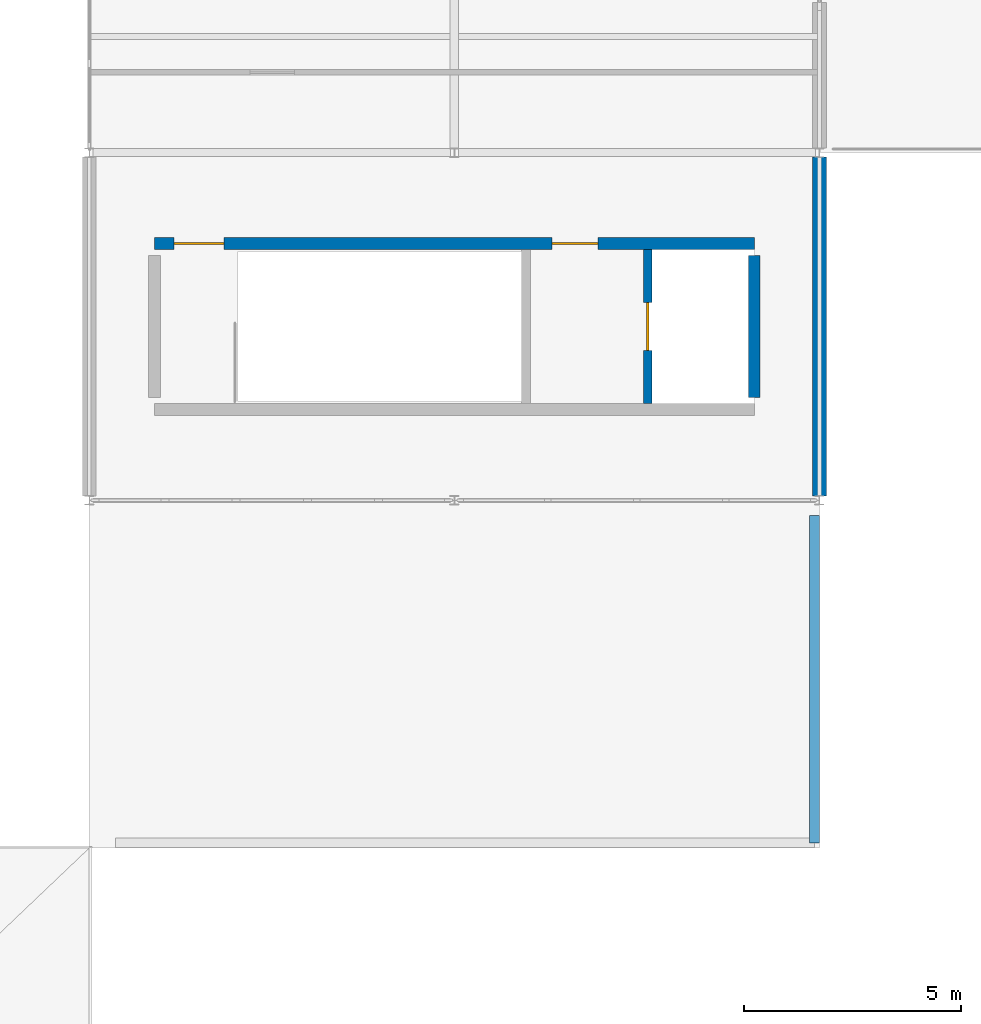
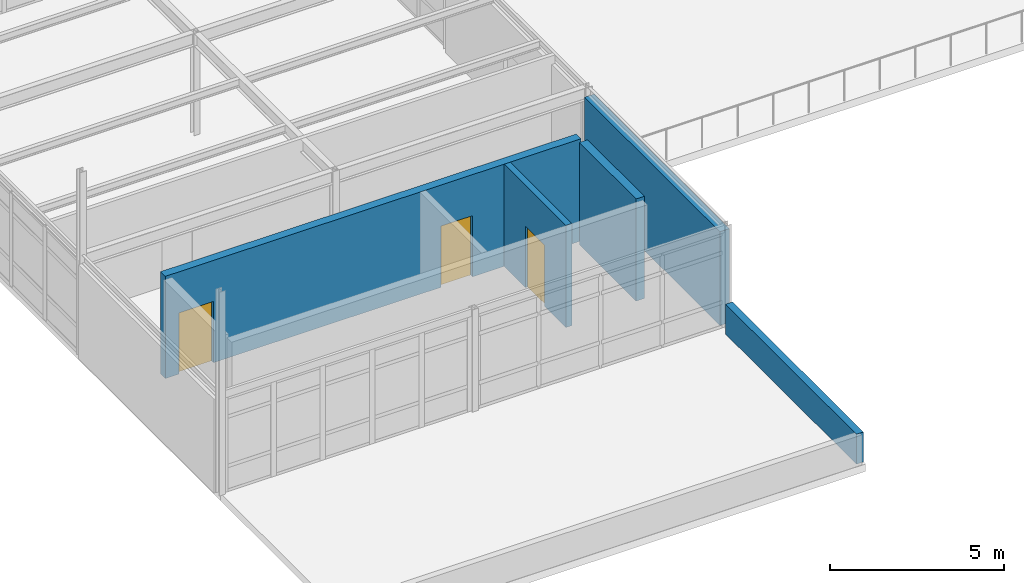
# One storey, part 25 of 32: 5 walls, 3 doors, 3 openings.
"""IFC4 building model written with IfcOpenShell, lengths in metres."""

from ifc_helpers import new_model, si_unit, direction, frame, frame_2d, origin, place, context, subcontext, project, spatial, rectangle, extrude, material, layer, layer_set, type_object, element, fill, save


model = new_model("IFC4")

# Units and contexts
model_context = context("Model", 3, precision=1e-05, world=origin(), true_north=direction((0.0, 1.0)))
body_context = subcontext(model_context, "Body", "Model", "MODEL_VIEW")
ifc_project = project(units=[si_unit("LENGTHUNIT", "METRE"), si_unit("AREAUNIT", "SQUARE_METRE"), si_unit("VOLUMEUNIT", "CUBIC_METRE"), si_unit("PLANEANGLEUNIT", "RADIAN"), si_unit("MASSUNIT", "GRAM", prefix="KILO")], contexts=[model_context])

# Site, building, storey
site_placement = place(None, origin())
site = spatial("IfcSite", under=ifc_project, at=site_placement, CompositionType="ELEMENT")
building_placement = place(site_placement, origin())
building = spatial("IfcBuilding", under=site, at=building_placement, Name="Kranzveld Transit Interchange", CompositionType="ELEMENT")
storey_placement = place(building_placement, frame((0.0, 0.0, 17.199951171875)))
storey = spatial("IfcBuildingStorey", under=building, at=storey_placement, Name="L04", CompositionType="ELEMENT", Elevation=17.199951171875)

# Wall, openings, doors
ifc_material_1 = material(Name="Concrete C40/50", Category="concrete")
ifc_layer_1 = layer(ifc_material_1, 0.27490234375)
ifc_layer_set_1 = layer_set([ifc_layer_1], Name="Concrete C40/50")
wall_type_1 = type_object("IfcWallType", Name="Core Upper Wall RC 275 C40/50", PredefinedType="SHEAR", material=ifc_layer_set_1)
wall_1_placement = place(storey_placement, frame((102.300048828125, 77.909912109375, 0.0), z_axis=(0.0, 0.0, 1.0), x_axis=(1.0, 0.0, 0.0)))
wall_1 = element("IfcWall", 1, at=wall_1_placement, inside=storey, type_object=wall_type_1, Name="L04 Community Core C3 Shear Wall N", PredefinedType="SHEAR", context=body_context, shape_type="SweptSolid", body=[
    extrude(rectangle(XDim=13.800048828125, YDim=0.27490234375, at=frame_2d((6.89990234375, 0.0))), origin(), (0.0, 0.0, 1.0), 3.590087890625),
])
opening_1_placement = place(wall_1_placement, frame((0.449951171875, 0.0, 0.0), z_axis=(0.0, 0.0, 1.0), x_axis=(1.0, 0.0, 0.0)))
opening_1 = element("IfcOpeningElement", 2, at=opening_1_placement, cuts=wall_1, Name="Opening D-ST-C3-L04", PredefinedType="OPENING", context=body_context, shape_type="SweptSolid", body=[
    extrude(rectangle(XDim=1.14990234375, YDim=2.14990234375, at=frame_2d((0.574951171875, 1.074951171875))), frame((0.0, 0.1474609375, 0.0), z_axis=(0.0, -1.0, 0.0), x_axis=(1.0, 0.0, 0.0)), (0.0, 0.0, 1.0), 0.294921875),
])
opening_2_placement = place(wall_1_placement, frame((9.14990234375, 0.0, 0.0), z_axis=(0.0, 0.0, 1.0), x_axis=(1.0, 0.0, 0.0)))
opening_2 = element("IfcOpeningElement", 3, at=opening_2_placement, cuts=wall_1, Name="Opening D-LB-C3-L04", PredefinedType="OPENING", context=body_context, shape_type="SweptSolid", body=[
    extrude(rectangle(XDim=1.050048828125, YDim=2.14990234375, at=frame_2d((0.52490234375, 1.074951171875))), frame((0.0, 0.1474609375, 0.0), z_axis=(0.0, -1.0, 0.0), x_axis=(1.0, 0.0, 0.0)), (0.0, 0.0, 1.0), 0.294921875),
])
ifc_material_2 = material(Name="Steel S355JR", Category="steel")
door_type_1 = type_object("IfcDoorType", Name="Lift Lobby Fire Door 1050x2150 FD120S", OperationType="NOTDEFINED", PredefinedType="DOOR", material=ifc_material_2)
door_1_placement = place(opening_2_placement, origin())
door_1 = element("IfcDoor", 4, at=door_1_placement, inside=storey, type_object=door_type_1, Name="L04 Community Core C3 Lift Protected Lobby Door", OperationType="SINGLE_SWING_RIGHT", OverallHeight=2.14990234375, OverallWidth=1.050048828125, PredefinedType="DOOR", context=body_context, shape_type="SweptSolid", body=[
    extrude(rectangle(XDim=1.050048828125, YDim=2.14990234375, at=frame_2d((0.52490234375, 1.074951171875))), frame((0.0, 0.02490234375, 0.0), z_axis=(0.0, -1.0, 0.0), x_axis=(1.0, 0.0, 0.0)), (0.0, 0.0, 1.0), 0.050048828125),
])
fill(opening_2, door_1)
ifc_material_3 = material(Name="Steel S355JR", Category="steel")
door_type_2 = type_object("IfcDoorType", Name="Stair Core Fire Door 1150x2150 FD120S", OperationType="NOTDEFINED", PredefinedType="DOOR", material=ifc_material_3)
door_2_placement = place(opening_1_placement, origin())
door_2 = element("IfcDoor", 5, at=door_2_placement, inside=storey, type_object=door_type_2, Name="L04 ST-V4A Protected Stair Door", OperationType="SINGLE_SWING_RIGHT", OverallHeight=2.14990234375, OverallWidth=1.14990234375, PredefinedType="DOOR", context=body_context, shape_type="SweptSolid", body=[
    extrude(rectangle(XDim=1.14990234375, YDim=2.14990234375, at=frame_2d((0.574951171875, 1.074951171875))), frame((0.0, 0.02490234375, 0.0), z_axis=(0.0, -1.0, 0.0), x_axis=(1.0, 0.0, 0.0)), (0.0, 0.0, 1.0), 0.050048828125),
])
fill(opening_1, door_2)

# Walls
wall_2_placement = place(storey_placement, frame((116.10009765625, 74.364990234375, 0.0), z_axis=(0.0, 0.0, 1.0), x_axis=(0.0, 1.0, 0.0)))
element("IfcWall", 6, at=wall_2_placement, inside=storey, type_object=wall_type_1, Name="L04 Community Core C3 Shear Wall E", PredefinedType="SHEAR", context=body_context, shape_type="SweptSolid", body=[
    extrude(rectangle(XDim=3.27001953125, YDim=0.27490234375, at=frame_2d((1.635009765625, 0.0))), origin(), (0.0, 0.0, 1.0), 3.590087890625),
])
ifc_material_4 = material(Name="Pretoria red-purple clinker clay face brick, 35 MPa", Category="masonry")
ifc_layer_2 = layer(ifc_material_4, 0.320068359375)
ifc_layer_set_2 = layer_set([ifc_layer_2], Name="Pretoria red-purple clinker clay face brick, 35 MPa")
wall_type_2 = type_object("IfcWallType", Name="Exterior Upper Wall Red Clinker 320", PredefinedType="SOLIDWALL", material=ifc_layer_set_2)
wall_3_placement = place(storey_placement, frame((117.60009765625, 72.104736328125, 0.0), z_axis=(0.0, 0.0, 1.0), x_axis=(0.0, 1.0, 0.0)))
element("IfcWall", 7, at=wall_3_placement, inside=storey, type_object=wall_type_2, Name="L04 Clinker Facade Wall 15/K-15/L", PredefinedType="SOLIDWALL", context=body_context, shape_type="SweptSolid", body=[
    extrude(rectangle(XDim=7.79052734375, YDim=0.320068359375, at=frame_2d((3.895263671875, 0.0))), origin(), (0.0, 0.0, 1.0), 3.2900390625),
])

# Wall, opening, door
ifc_material_5 = material(Name="Concrete C40/50", Category="concrete")
ifc_layer_3 = layer(ifc_material_5, 0.199951171875)
ifc_layer_set_3 = layer_set([ifc_layer_3], Name="Concrete C40/50")
wall_type_3 = type_object("IfcWallType", Name="Lift Shaft Enclosure Wall RC 200 EI120", PredefinedType="SHEAR", material=ifc_layer_set_3)
wall_4_placement = place(storey_placement, frame((113.64990234375, 74.2275390625, 0.0), z_axis=(0.0, 0.0, 1.0), x_axis=(0.0, 1.0, 0.0)))
wall_4 = element("IfcWall", 8, at=wall_4_placement, inside=storey, type_object=wall_type_3, Name="L04 LF-V4A Shaft Front Wall", PredefinedType="SHEAR", context=body_context, shape_type="SweptSolid", body=[
    extrude(rectangle(XDim=3.544921875, YDim=0.199951171875, at=frame_2d((1.7724609375, 0.0))), origin(), (0.0, 0.0, 1.0), 3.590087890625),
])
opening_3_placement = place(wall_4_placement, frame((1.222412109375, 0.0, 0.0), z_axis=(0.0, 0.0, 1.0), x_axis=(1.0, 0.0, 0.0)))
opening_3 = element("IfcOpeningElement", 9, at=opening_3_placement, cuts=wall_4, Name="Opening LD-LF-V4A-L04", PredefinedType="OPENING", context=body_context, shape_type="SweptSolid", body=[
    extrude(rectangle(XDim=1.10009765625, YDim=2.14990234375, at=frame_2d((0.550048828125, 1.074951171875))), frame((0.0, 0.10986328125, 0.0), z_axis=(0.0, -1.0, 0.0), x_axis=(1.0, 0.0, 0.0)), (0.0, 0.0, 1.0), 0.219970703125),
])
ifc_material_6 = material(Name="Steel S355JR", Category="steel")
door_type_3 = type_object("IfcDoorType", Name="Lift Landing Sliding Door 1100x2150 FD120S", OperationType="NOTDEFINED", PredefinedType="DOOR", material=ifc_material_6)
door_3_placement = place(opening_3_placement, origin())
door_3 = element("IfcDoor", 10, at=door_3_placement, inside=storey, type_object=door_type_3, Name="L04 LF-V4A Sliding Landing Door", OperationType="DOUBLE_DOOR_SLIDING", OverallHeight=2.14990234375, OverallWidth=1.10009765625, PredefinedType="DOOR", context=body_context, shape_type="SweptSolid", body=[
    extrude(rectangle(XDim=1.10009765625, YDim=2.14990234375, at=frame_2d((0.550048828125, 1.074951171875))), frame((0.0, 0.02490234375, 0.0), z_axis=(0.0, -1.0, 0.0), x_axis=(1.0, 0.0, 0.0)), (0.0, 0.0, 1.0), 0.050048828125),
])
fill(opening_3, door_3)

# Wall
ifc_material_7 = material(Name="Pretoria red-purple clinker clay face brick, 35 MPa", Category="masonry")
ifc_layer_4 = layer(ifc_material_7, 0.22998046875)
ifc_layer_set_4 = layer_set([ifc_layer_4], Name="Pretoria red-purple clinker clay face brick, 35 MPa")
wall_type_4 = type_object("IfcWallType", Name="Roof Parapet Wall Clinker Brick 230", PredefinedType="PARAPET", material=ifc_layer_set_4)
wall_5_placement = place(storey_placement, frame((117.47998046875, 71.64990234375, 0.0), z_axis=(0.0, 0.0, 1.0), x_axis=(0.0, -1.0, 0.0)))
element("IfcWall", 11, at=wall_5_placement, inside=storey, type_object=wall_type_4, Name="L04 Roof Parapet 044", PredefinedType="PARAPET", context=body_context, shape_type="SweptSolid", body=[
    extrude(rectangle(XDim=7.52978515625, YDim=0.22998046875, at=frame_2d((3.764892578125, 0.0))), origin(), (0.0, 0.0, 1.0), 1.050048828125),
])

save(model, "model.ifc")
